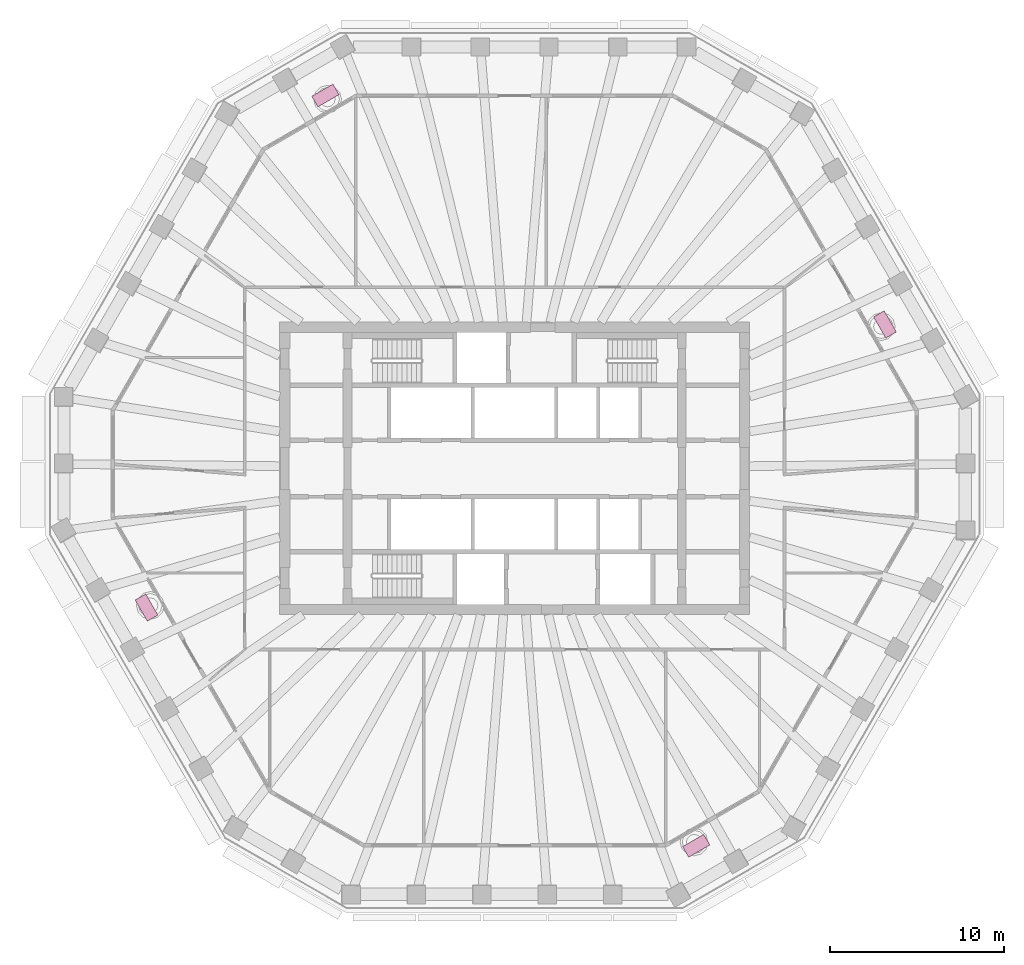
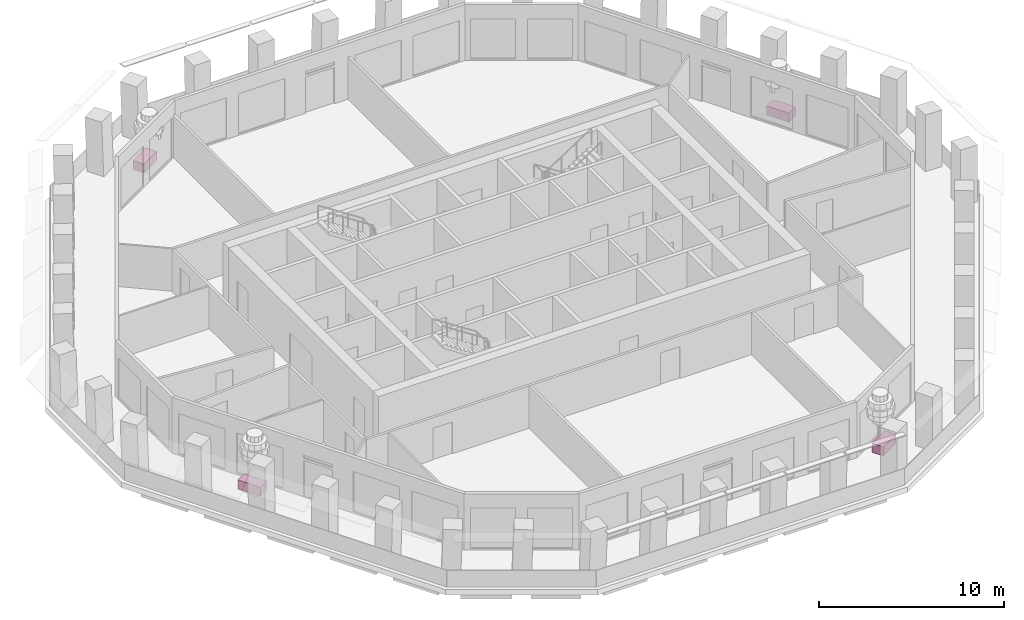
# One storey, part 11 of 12: 4 furniture elements.
"""IFC4 building model written with IfcOpenShell, lengths in metres."""

from ifc_helpers import new_model, si_unit, direction, frame, origin, origin_2d, place, context, subcontext, project, spatial, rectangle, extrude, material, type_object, element, save


model = new_model("IFC4")

# Units and contexts
model_context = context("Model", 3, precision=1e-05, world=origin(), true_north=direction((0.0, 1.0)))
body_context = subcontext(model_context, "Body", "Model", "MODEL_VIEW")
ifc_project = project(units=[si_unit("LENGTHUNIT", "METRE"), si_unit("AREAUNIT", "SQUARE_METRE"), si_unit("VOLUMEUNIT", "CUBIC_METRE"), si_unit("PLANEANGLEUNIT", "RADIAN"), si_unit("MASSUNIT", "GRAM", prefix="KILO")], contexts=[model_context])

# Site, building, storey
site_placement = place(None, origin())
site = spatial("IfcSite", under=ifc_project, at=site_placement, CompositionType="ELEMENT")
building_placement = place(site_placement, origin())
building = spatial("IfcBuilding", under=site, at=building_placement, Name="Frailejon Research Tower", CompositionType="ELEMENT")
storey_placement = place(building_placement, frame((0.0, 0.0, 219.39990234375)))
storey = spatial("IfcBuildingStorey", under=building, at=storey_placement, Name="L47", CompositionType="ELEMENT", Elevation=219.39990234375)

# Furniture
ifc_material = material(Name="Precast concrete C30/37 planter, terracotta", Category="masonry")
furniture_type = type_object("IfcFurnitureType", Name="Loggia planter 1400x700", AssemblyPlace="NOTDEFINED", PredefinedType="USERDEFINED", material=ifc_material)
for number, where, z_axis, x_axis, name in (
    (1, (21.26708984375, 8.267333984375, 0.0), (0.0, 0.0, 1.0), (-0.5, 0.866025403784, 0.0), "Planter L47"),
    (2, (-10.86376953125, 21.4169921875, 0.0), (0.0, 0.0, 1.0), (-0.866025403784, -0.5, 0.0), "Planter L47"),
    (3, (-21.136474609375, -7.99072265625, 0.0), (0.0, 0.0, 1.0), (0.5, -0.866025403784, 0.0), "Planter L47"),
    (4, (10.42822265625, -21.66845703125, 0.0), (0.0, 0.0, 1.0), (0.866025403784, 0.5, 0.0), "Planter L47"),
):
    element("IfcFurniture", number, at=place(storey_placement, frame(where, z_axis=z_axis, x_axis=x_axis)), inside=storey, type_object=furniture_type, Name=name, ObjectType="PLANTER", PredefinedType="USERDEFINED", context=body_context, shape_type="SweptSolid", body=[
        extrude(rectangle(XDim=1.39990234375, YDim=0.699951171875, at=origin_2d()), origin(), (0.0, 0.0, 1.0), 0.60009765625),
    ])

save(model, "model.ifc")
